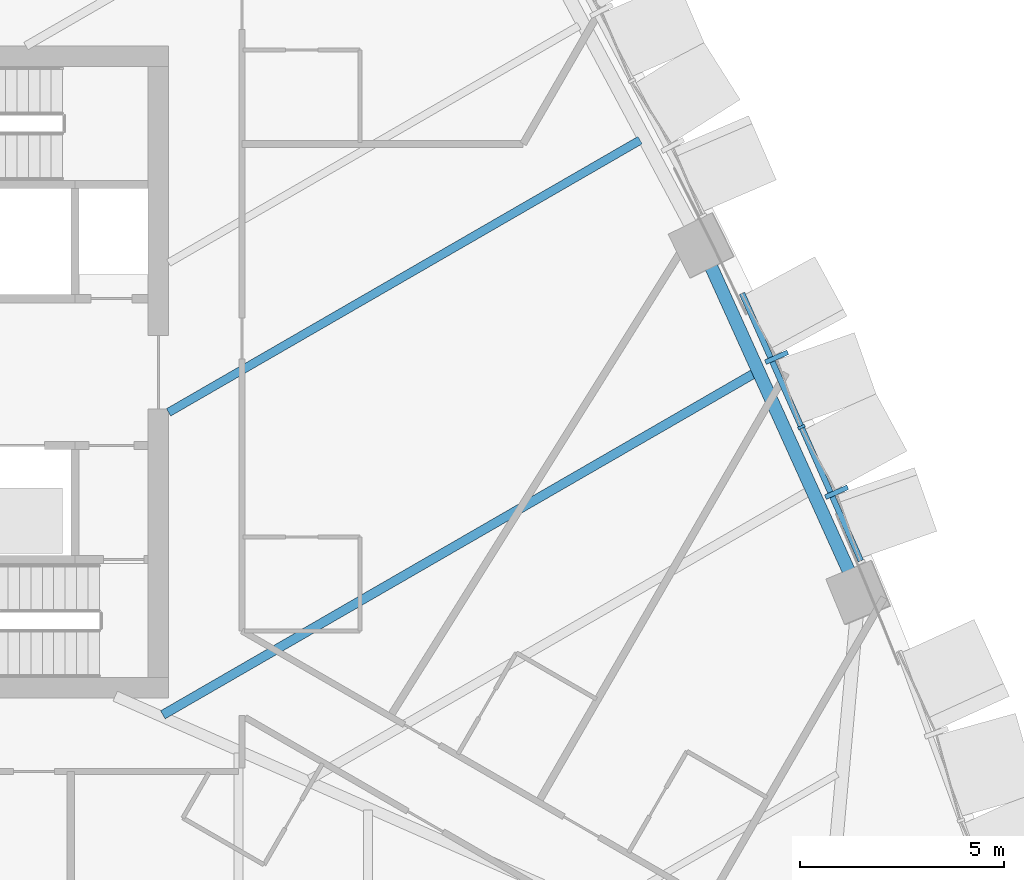
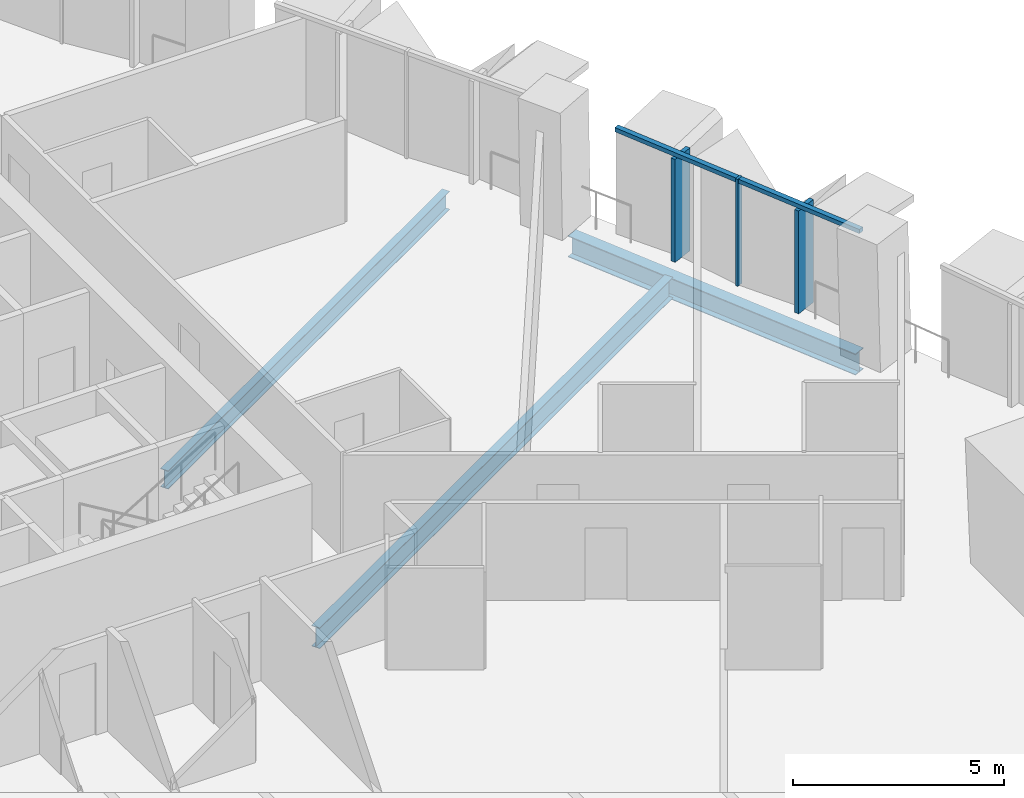
# One storey, part 5 of 24: 5 members, 3 beams, 1 element without a shape of its own.
"""IFC4 building model written with IfcOpenShell, lengths in metres."""

from ifc_helpers import new_model, si_unit, direction, frame, origin, origin_2d, place, context, subcontext, project, spatial, rectangle, i_section, extrude, material, layer, layer_set, material_profile, profile_set, type_object, element, aggregate, save


model = new_model("IFC4")

# Units and contexts
model_context = context("Model", 3, precision=1e-05, world=origin(), true_north=direction((0.0, 1.0)))
body_context = subcontext(model_context, "Body", "Model", "MODEL_VIEW")
ifc_project = project(units=[si_unit("LENGTHUNIT", "METRE"), si_unit("AREAUNIT", "SQUARE_METRE"), si_unit("VOLUMEUNIT", "CUBIC_METRE"), si_unit("PLANEANGLEUNIT", "RADIAN"), si_unit("MASSUNIT", "GRAM", prefix="KILO")], contexts=[model_context])

# Site, building, storey
site_placement = place(None, origin())
site = spatial("IfcSite", under=ifc_project, at=site_placement, CompositionType="ELEMENT")
building_placement = place(site_placement, origin())
building = spatial("IfcBuilding", under=site, at=building_placement, Name="Sierra Prisma Convention Tower", CompositionType="ELEMENT")
storey_placement = place(building_placement, frame((0.0, 0.0, 55.39990234375)))
storey = spatial("IfcBuildingStorey", under=building, at=storey_placement, Name="L09", CompositionType="ELEMENT", Elevation=55.39990234375)

# Curtain wall, members
ifc_material_1 = material(Name="Aluminium and glass curtain wall", Category="aluminium")
ifc_layer = layer(ifc_material_1, 0.179931640625)
ifc_layer_set = layer_set([ifc_layer], Name="CW-2 Faceted crystal curtain wall")
curtain_wall_type = type_object("IfcCurtainWallType", Name="CW-2 Faceted crystal curtain wall", PredefinedType="NOTDEFINED", material=ifc_layer_set)
curtain_wall_placement = place(storey_placement, origin())
curtain_wall = element("IfcCurtainWall", 1, at=curtain_wall_placement, inside=storey, type_object=curtain_wall_type, Name="CW-2 NE2 L09", PredefinedType="NOTDEFINED")
ifc_material_2 = material(Name="Aluminium 6063-T6 bronze anodised", Category="aluminium")
ifc_material_profile_1 = material_profile(ifc_material_2, rectangle(XDim=0.1201171875, YDim=0.60009765625, at=origin_2d()), Name="ALU RIDGE BLADE 120x600")
ifc_profile_set_1 = profile_set([ifc_material_profile_1], Name="Aluminium 6063-T6 bronze anodised")
member_type_1 = type_object("IfcMemberType", Name="CW hip bronze", PredefinedType="MULLION", material=ifc_profile_set_1)
member_1_placement = place(storey_placement, frame((27.391357421875, -2.94775390625, 0.0), z_axis=(0.0, 0.0, 1.0), x_axis=(-0.406135672492, 0.913812790198, 0.0)))
member_1 = element("IfcMember", 2, at=member_1_placement, type_object=member_type_1, Name="CW-2 ridge NE2.1", PredefinedType="MULLION", context=body_context, shape_type="SweptSolid", body=[
    extrude(rectangle(XDim=0.1201171875, YDim=0.60009765625, at=origin_2d()), origin(), (0.0, 0.0, 1.0), 2.97998046875),
])
member_2_placement = place(storey_placement, frame((25.919677734375, 0.363525390625, 0.0), z_axis=(0.0, 0.0, 1.0), x_axis=(-0.406135672492, 0.913812790198, 0.0)))
member_2 = element("IfcMember", 3, at=member_2_placement, type_object=member_type_1, Name="CW-2 ridge NE2.2", PredefinedType="MULLION", context=body_context, shape_type="SweptSolid", body=[
    extrude(rectangle(XDim=0.1201171875, YDim=0.60009765625, at=origin_2d()), origin(), (0.0, 0.0, 1.0), 2.97998046875),
])
ifc_material_3 = material(Name="Aluminium 6063-T6 bronze anodised", Category="aluminium")
ifc_material_profile_2 = material_profile(ifc_material_3, rectangle(XDim=0.179931640625, YDim=0.070068359375, at=origin_2d()), Name="ALU MULLION 70x180")
ifc_profile_set_2 = profile_set([ifc_material_profile_2], Name="Aluminium 6063-T6 bronze anodised")
member_type_2 = type_object("IfcMemberType", Name="CW mullion bronze", PredefinedType="MULLION", material=ifc_profile_set_2)
member_3_placement = place(storey_placement, frame((26.527587890625, -1.348876953125, 0.0), z_axis=(0.0, 0.0, 1.0), x_axis=(-0.913812790198, -0.406135672492, 0.0)))
member_3 = element("IfcMember", 4, at=member_3_placement, type_object=member_type_2, Name="CW-1 mullion NE2.2", PredefinedType="MULLION", context=body_context, shape_type="SweptSolid", body=[
    extrude(rectangle(XDim=0.179931640625, YDim=0.070068359375, at=origin_2d()), origin(), (0.0, 0.0, 1.0), 3.10009765625),
])
ifc_material_4 = material(Name="Aluminium 6063-T6 bronze anodised", Category="aluminium")
ifc_material_profile_3 = material_profile(ifc_material_4, rectangle(XDim=0.139892578125, YDim=0.1201171875, at=origin_2d()), Name="ALU TRANSOM 120x140")
ifc_profile_set_3 = profile_set([ifc_material_profile_3], Name="Aluminium 6063-T6 bronze anodised")
member_type_3 = type_object("IfcMemberType", Name="CW transom bronze", PredefinedType="USERDEFINED", material=ifc_profile_set_3)
member_4_placement = place(storey_placement, frame((27.985107421875, -4.628173828125, 3.0400390625), z_axis=(-0.406163963403, 0.913800216039, 0.0), x_axis=(-0.913800216039, -0.406163963403, 0.0)))
member_4 = element("IfcMember", 5, at=member_4_placement, type_object=member_type_3, Name="CW-1 transom NE2.1", ObjectType="TRANSOM", PredefinedType="USERDEFINED", context=body_context, shape_type="SweptSolid", body=[
    extrude(rectangle(XDim=0.139892578125, YDim=0.1201171875, at=origin_2d()), origin(), (0.0, 0.0, 1.0), 3.5537109375),
])
member_5_placement = place(storey_placement, frame((26.513427734375, -1.31689453125, 3.0400390625), z_axis=(-0.406106593033, 0.913825713742, 0.0), x_axis=(-0.913825713742, -0.406106593033, 0.0)))
member_5 = element("IfcMember", 6, at=member_5_placement, type_object=member_type_3, Name="CW-1 transom NE2.2", ObjectType="TRANSOM", PredefinedType="USERDEFINED", context=body_context, shape_type="SweptSolid", body=[
    extrude(rectangle(XDim=0.139892578125, YDim=0.1201171875, at=origin_2d()), origin(), (0.0, 0.0, 1.0), 3.553466796875),
])
aggregate(curtain_wall, [member_3, member_4, member_1, member_5, member_2])

# Beams
ifc_material_5 = material(Name="Steel ASTM A992 Gr 50", Category="steel")
ifc_material_profile_4 = material_profile(ifc_material_5, i_section(OverallWidth=0.208984375, OverallDepth=0.532958984375, WebThickness=0.01025390625, FlangeThickness=0.015625, at=origin_2d()), Name="W530x92")
ifc_profile_set_4 = profile_set([ifc_material_profile_4], Name="Steel ASTM A992 Gr 50")
beam_type_1 = type_object("IfcBeamType", Name="Floor joist W530x92", PredefinedType="JOIST", material=ifc_profile_set_4)
beam_1_placement = place(storey_placement, frame((22.569091796875, 5.6904296875, -0.41650390625), z_axis=(-0.866024590318, -0.500001408963, 0.0), x_axis=(0.500001408963, -0.866024590318, 0.0)))
element("IfcBeam", 7, at=beam_1_placement, inside=storey, type_object=beam_type_1, Name="Floor joist L09 NE07", PredefinedType="JOIST", context=body_context, shape_type="SweptSolid", body=[
    extrude(i_section(OverallWidth=0.208984375, OverallDepth=0.532958984375, WebThickness=0.01025390625, FlangeThickness=0.015625, at=origin_2d()), origin(), (0.0, 0.0, 1.0), 13.35888671875),
])
ifc_material_6 = material(Name="Steel ASTM A992 Gr 50", Category="steel")
ifc_material_profile_5 = material_profile(ifc_material_6, i_section(OverallWidth=0.22802734375, OverallDepth=0.60302734375, WebThickness=0.010498046875, FlangeThickness=0.014892578125, at=origin_2d()), Name="W610x101")
ifc_profile_set_5 = profile_set([ifc_material_profile_5], Name="Steel ASTM A992 Gr 50")
beam_type_2 = type_object("IfcBeamType", Name="Floor joist W610x101", PredefinedType="JOIST", material=ifc_profile_set_5)
beam_2_placement = place(storey_placement, frame((25.372314453125, -0.031005859375, -0.451416015625), z_axis=(-0.866021820837, -0.500006205796, 0.0), x_axis=(0.500006205796, -0.866021820837, 0.0)))
element("IfcBeam", 8, at=beam_2_placement, inside=storey, type_object=beam_type_2, Name="Floor joist L09 NE05", PredefinedType="JOIST", context=body_context, shape_type="SweptSolid", body=[
    extrude(i_section(OverallWidth=0.22802734375, OverallDepth=0.60302734375, WebThickness=0.010498046875, FlangeThickness=0.014892578125, at=origin_2d()), origin(), (0.0, 0.0, 1.0), 16.757568359375),
])
ifc_material_7 = material(Name="Steel ASTM A992 Gr 50", Category="steel")
ifc_material_profile_6 = material_profile(ifc_material_7, i_section(OverallWidth=0.324951171875, OverallDepth=0.615966796875, WebThickness=0.013916015625, FlangeThickness=0.021484375, at=origin_2d()), Name="W610x174")
ifc_profile_set_6 = profile_set([ifc_material_profile_6], Name="Steel ASTM A992 Gr 50")
beam_type_3 = type_object("IfcBeamType", Name="Spandrel beam W610x174", PredefinedType="BEAM", material=ifc_profile_set_6)
beam_3_placement = place(storey_placement, frame((27.734619140625, -4.980712890625, -0.4580078125), z_axis=(-0.412077615075, 0.911148746997, 0.0), x_axis=(-0.911148746997, -0.412077615075, 0.0)))
element("IfcBeam", 9, at=beam_3_placement, inside=storey, type_object=beam_type_3, Name="Spandrel L09-08", PredefinedType="BEAM", context=body_context, shape_type="SweptSolid", body=[
    extrude(i_section(OverallWidth=0.324951171875, OverallDepth=0.615966796875, WebThickness=0.013916015625, FlangeThickness=0.021484375, at=origin_2d()), origin(), (0.0, 0.0, 1.0), 8.39404296875),
])

save(model, "model.ifc")
